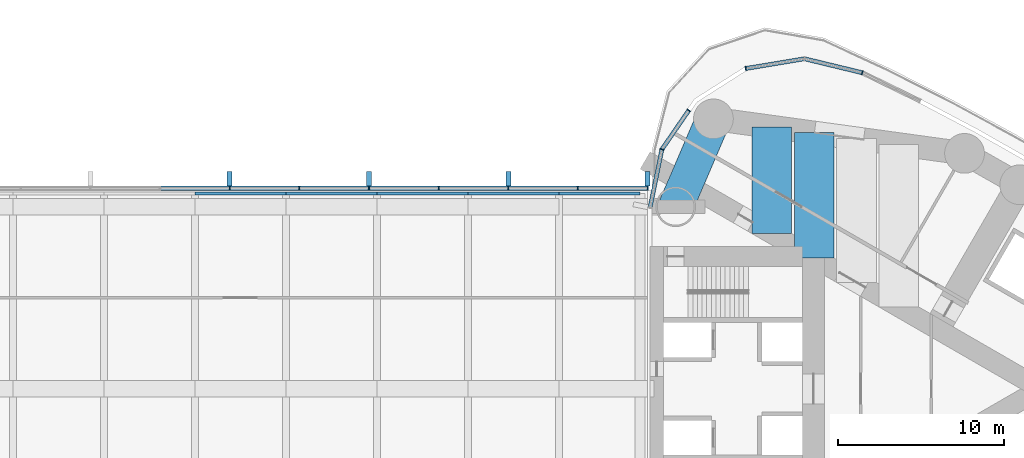
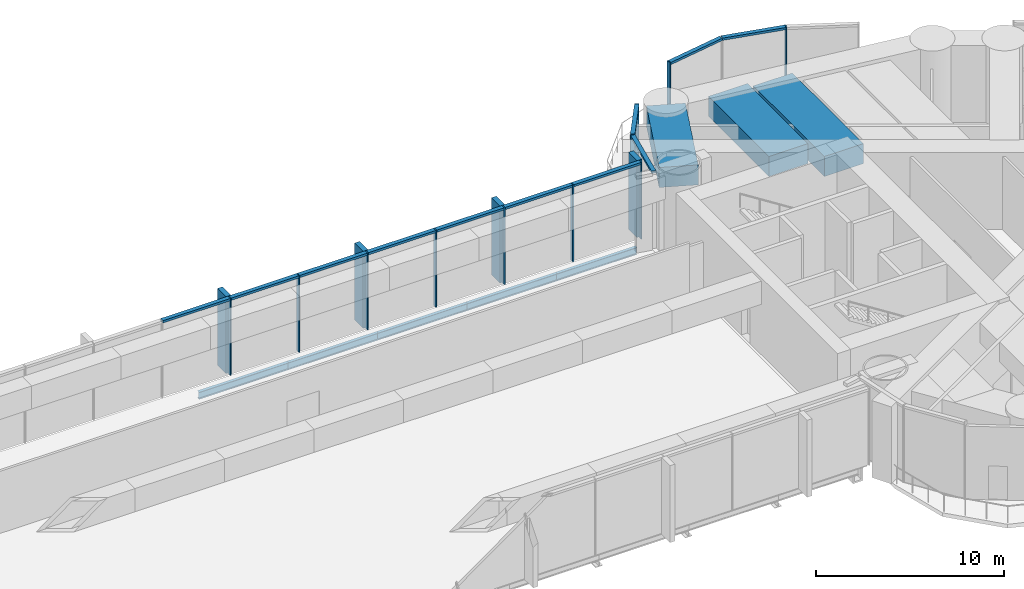
# One storey, part 11 of 22: 26 members, 8 beams, 3 elements without a shape of their own.
"""IFC4 building model written with IfcOpenShell, lengths in metres."""

from ifc_helpers import new_model, si_unit, direction, frame, origin, origin_2d, place, context, subcontext, project, spatial, rectangle, i_section, extrude, material, material_profile, profile_set, type_object, element, aggregate, save


model = new_model("IFC4")

# Units and contexts
model_context = context("Model", 3, precision=1e-05, world=origin(), true_north=direction((0.0, 1.0)))
body_context = subcontext(model_context, "Body", "Model", "MODEL_VIEW")
ifc_project = project(units=[si_unit("LENGTHUNIT", "METRE"), si_unit("AREAUNIT", "SQUARE_METRE"), si_unit("VOLUMEUNIT", "CUBIC_METRE"), si_unit("PLANEANGLEUNIT", "RADIAN"), si_unit("MASSUNIT", "GRAM", prefix="KILO")], contexts=[model_context])

# Site, building, storey
site_placement = place(None, origin())
site = spatial("IfcSite", under=ifc_project, at=site_placement, CompositionType="ELEMENT")
building_placement = place(site_placement, origin())
building = spatial("IfcBuilding", under=site, at=building_placement, Name="Lancet Gate Hotel", CompositionType="ELEMENT")
storey_placement = place(building_placement, frame((0.0, 0.0, 210.300048828125)))
storey = spatial("IfcBuildingStorey", under=building, at=storey_placement, Name="L56", CompositionType="ELEMENT", Elevation=210.300048828125)

# Curtain wall, members
ifc_material_1 = material(Name="Aluminium curtain wall", Category="aluminium")
curtain_wall_type = type_object("IfcCurtainWallType", Name="Refuge storey louvred curtain wall", PredefinedType="USERDEFINED", material=ifc_material_1)
curtain_wall_1_placement = place(storey_placement, origin())
curtain_wall_1 = element("IfcCurtainWall", 1, at=curtain_wall_1_placement, inside=storey, type_object=curtain_wall_type, Name="T2 L56 curtain wall 7", ObjectType="LANTERN GLAZING", PredefinedType="USERDEFINED")
ifc_material_2 = material(Name="Aluminium mullion", Category="aluminium")
ifc_material_profile_1 = material_profile(ifc_material_2, rectangle(XDim=0.06494140625, YDim=0.25, at=origin_2d()), Name="MULLION 65x250")
ifc_profile_set_1 = profile_set([ifc_material_profile_1], Name="Aluminium mullion")
member_type_1 = type_object("IfcMemberType", Name="Aluminium mullion 65x250", PredefinedType="MULLION", material=ifc_profile_set_1)
member_1_placement = place(storey_placement, frame((40.3173828125, 19.098388671875, 0.0), z_axis=(0.0, 0.0, 1.0), x_axis=(-0.939483740419, 0.342593493061, 0.0)))
member_1 = element("IfcMember", 2, at=member_1_placement, type_object=member_type_1, Name="T2 L56 curtain wall 7 mullion 2", PredefinedType="MULLION", context=body_context, shape_type="SweptSolid", body=[
    extrude(rectangle(XDim=0.06494140625, YDim=0.25, at=origin_2d()), origin(), (0.0, 0.0, 1.0), 5.0),
])
member_2_placement = place(storey_placement, frame((33.283203125, 19.353515625, 0.0), z_axis=(0.0, 0.0, 1.0), x_axis=(-0.986480101775, -0.163881081283, 0.0)))
member_2 = element("IfcMember", 3, at=member_2_placement, type_object=member_type_1, Name="T2 L56 curtain wall 7 mullion 4", PredefinedType="MULLION", context=body_context, shape_type="SweptSolid", body=[
    extrude(rectangle(XDim=0.06494140625, YDim=0.25, at=origin_2d()), origin(), (0.0, 0.0, 1.0), 5.0),
])

curtain_wall_2_placement = place(storey_placement, origin())
curtain_wall_2 = element("IfcCurtainWall", 4, at=curtain_wall_2_placement, inside=storey, type_object=curtain_wall_type, Name="T2 L56 curtain wall 8", ObjectType="LANTERN GLAZING", PredefinedType="USERDEFINED")
member_3_placement = place(storey_placement, frame((29.838134765625, 16.82421875, 0.0), z_axis=(0.0, 0.0, 1.0), x_axis=(-0.566823864908, -0.823839005007, 0.0)))
member_3 = element("IfcMember", 5, at=member_3_placement, type_object=member_type_1, Name="T2 L56 curtain wall 8 mullion 1", PredefinedType="MULLION", context=body_context, shape_type="SweptSolid", body=[
    extrude(rectangle(XDim=0.06494140625, YDim=0.25, at=origin_2d()), origin(), (0.0, 0.0, 1.0), 5.0),
])
member_4_placement = place(storey_placement, frame((28.216552734375, 14.467529296875, 0.0), z_axis=(0.0, 0.0, 1.0), x_axis=(-0.36971003295, -0.929147185077, 0.0)))
member_4 = element("IfcMember", 6, at=member_4_placement, type_object=member_type_1, Name="T2 L56 curtain wall 8 mullion 2", PredefinedType="MULLION", context=body_context, shape_type="SweptSolid", body=[
    extrude(rectangle(XDim=0.06494140625, YDim=0.25, at=origin_2d()), origin(), (0.0, 0.0, 1.0), 5.0),
])

curtain_wall_3_placement = place(storey_placement, origin())
curtain_wall_3 = element("IfcCurtainWall", 7, at=curtain_wall_3_placement, inside=storey, type_object=curtain_wall_type, Name="Bridge block L56 curtain wall N", ObjectType="LANTERN GLAZING", PredefinedType="USERDEFINED")
member_5_placement = place(storey_placement, frame((27.35009765625, 12.1201171875, 0.0), z_axis=(0.0, 0.0, 1.0), x_axis=(-1.0, 0.0, 0.0)))
member_5 = element("IfcMember", 8, at=member_5_placement, type_object=member_type_1, Name="Bridge block L56 curtain wall N mullion 1", PredefinedType="MULLION", context=body_context, shape_type="SweptSolid", body=[
    extrude(rectangle(XDim=0.06494140625, YDim=0.25, at=origin_2d()), origin(), (0.0, 0.0, 1.0), 5.0),
])
member_6_placement = place(storey_placement, frame((23.142333984375, 12.1201171875, 0.0), z_axis=(0.0, 0.0, 1.0), x_axis=(-1.0, 0.0, 0.0)))
member_6 = element("IfcMember", 9, at=member_6_placement, type_object=member_type_1, Name="Bridge block L56 curtain wall N mullion 2", PredefinedType="MULLION", context=body_context, shape_type="SweptSolid", body=[
    extrude(rectangle(XDim=0.06494140625, YDim=0.25, at=origin_2d()), origin(), (0.0, 0.0, 1.0), 5.0),
])
member_7_placement = place(storey_placement, frame((18.9345703125, 12.1201171875, 0.0), z_axis=(0.0, 0.0, 1.0), x_axis=(-1.0, 0.0, 0.0)))
member_7 = element("IfcMember", 10, at=member_7_placement, type_object=member_type_1, Name="Bridge block L56 curtain wall N mullion 3", PredefinedType="MULLION", context=body_context, shape_type="SweptSolid", body=[
    extrude(rectangle(XDim=0.06494140625, YDim=0.25, at=origin_2d()), origin(), (0.0, 0.0, 1.0), 5.0),
])
member_8_placement = place(storey_placement, frame((14.726806640625, 12.1201171875, 0.0), z_axis=(0.0, 0.0, 1.0), x_axis=(-1.0, 0.0, 0.0)))
member_8 = element("IfcMember", 11, at=member_8_placement, type_object=member_type_1, Name="Bridge block L56 curtain wall N mullion 4", PredefinedType="MULLION", context=body_context, shape_type="SweptSolid", body=[
    extrude(rectangle(XDim=0.06494140625, YDim=0.25, at=origin_2d()), origin(), (0.0, 0.0, 1.0), 5.0),
])
member_9_placement = place(storey_placement, frame((10.519287109375, 12.1201171875, 0.0), z_axis=(0.0, 0.0, 1.0), x_axis=(-1.0, 0.0, 0.0)))
member_9 = element("IfcMember", 12, at=member_9_placement, type_object=member_type_1, Name="Bridge block L56 curtain wall N mullion 5", PredefinedType="MULLION", context=body_context, shape_type="SweptSolid", body=[
    extrude(rectangle(XDim=0.06494140625, YDim=0.25, at=origin_2d()), origin(), (0.0, 0.0, 1.0), 5.0),
])
member_10_placement = place(storey_placement, frame((6.3115234375, 12.1201171875, 0.0), z_axis=(0.0, 0.0, 1.0), x_axis=(-1.0, 0.0, 0.0)))
member_10 = element("IfcMember", 13, at=member_10_placement, type_object=member_type_1, Name="Bridge block L56 curtain wall N mullion 6", PredefinedType="MULLION", context=body_context, shape_type="SweptSolid", body=[
    extrude(rectangle(XDim=0.06494140625, YDim=0.25, at=origin_2d()), origin(), (0.0, 0.0, 1.0), 5.0),
])
member_11_placement = place(storey_placement, frame((2.103759765625, 12.1201171875, 0.0), z_axis=(0.0, 0.0, 1.0), x_axis=(-1.0, 0.0, 0.0)))
member_11 = element("IfcMember", 14, at=member_11_placement, type_object=member_type_1, Name="Bridge block L56 curtain wall N mullion 7", PredefinedType="MULLION", context=body_context, shape_type="SweptSolid", body=[
    extrude(rectangle(XDim=0.06494140625, YDim=0.25, at=origin_2d()), origin(), (0.0, 0.0, 1.0), 5.0),
])

# Member
ifc_material_3 = material(Name="Aluminium transom", Category="aluminium")
ifc_material_profile_2 = material_profile(ifc_material_3, rectangle(XDim=0.25, YDim=0.14990234375, at=origin_2d()), Name="TRANSOM 250x150")
ifc_profile_set_2 = profile_set([ifc_material_profile_2], Name="Aluminium transom")
member_type_2 = type_object("IfcMemberType", Name="Aluminium transom 250x150", PredefinedType="USERDEFINED", material=ifc_profile_set_2)
member_12_placement = place(storey_placement, frame((40.28564453125, 19.10595703125, 4.925048828125), z_axis=(-0.972002653858, 0.234969872307, 0.0), x_axis=(-0.234969872307, -0.972002653858, 0.0)))
member_12 = element("IfcMember", 15, at=member_12_placement, type_object=member_type_2, Name="T2 L56 curtain wall 7 transom 2", ObjectType="TRANSOM", PredefinedType="USERDEFINED", context=body_context, shape_type="SweptSolid", body=[
    extrude(rectangle(XDim=0.25, YDim=0.14990234375, at=origin_2d()), origin(), (0.0, 0.0, 1.0), 3.5263671875),
])

member_13_placement = place(storey_placement, frame((36.794189453125, 19.936767578125, 4.925048828125), z_axis=(-0.986483584545, -0.163860115412, 0.0), x_axis=(0.163860115412, -0.986483584545, 0.0)))
member_13 = element("IfcMember", 16, at=member_13_placement, type_object=member_type_2, Name="T2 L56 curtain wall 7 transom 3", ObjectType="TRANSOM", PredefinedType="USERDEFINED", context=body_context, shape_type="SweptSolid", body=[
    extrude(rectangle(XDim=0.25, YDim=0.14990234375, at=origin_2d()), origin(), (0.0, 0.0, 1.0), 3.526611328125),
])

aggregate(curtain_wall_1, [member_1, member_2, member_12, member_13])

member_14_placement = place(storey_placement, frame((29.819580078125, 16.79736328125, 4.925048828125), z_axis=(-0.566773415324, -0.823873713431, 0.0), x_axis=(0.823873713431, -0.566773415324, 0.0)))
member_14 = element("IfcMember", 17, at=member_14_placement, type_object=member_type_2, Name="T2 L56 curtain wall 8 transom 1", ObjectType="TRANSOM", PredefinedType="USERDEFINED", context=body_context, shape_type="SweptSolid", body=[
    extrude(rectangle(XDim=0.25, YDim=0.14990234375, at=origin_2d()), origin(), (0.0, 0.0, 1.0), 2.795654296875),
])

member_15_placement = place(storey_placement, frame((28.210205078125, 14.435546875, 4.925048828125), z_axis=(-0.19952323725, -0.979893095086, 0.0), x_axis=(0.979893095086, -0.19952323725, 0.0)))
member_15 = element("IfcMember", 18, at=member_15_placement, type_object=member_type_2, Name="T2 L56 curtain wall 8 transom 2", ObjectType="TRANSOM", PredefinedType="USERDEFINED", context=body_context, shape_type="SweptSolid", body=[
    extrude(rectangle(XDim=0.25, YDim=0.14990234375, at=origin_2d()), origin(), (0.0, 0.0, 1.0), 3.5263671875),
])

aggregate(curtain_wall_2, [member_3, member_4, member_14, member_15])

member_16_placement = place(storey_placement, frame((27.3173828125, 12.1201171875, 4.925048828125), z_axis=(-1.0, 0.0, 0.0), x_axis=(0.0, -1.0, 0.0)))
member_16 = element("IfcMember", 19, at=member_16_placement, type_object=member_type_2, Name="Bridge block L56 curtain wall N transom 1", ObjectType="TRANSOM", PredefinedType="USERDEFINED", context=body_context, shape_type="SweptSolid", body=[
    extrude(rectangle(XDim=0.25, YDim=0.14990234375, at=origin_2d()), origin(), (0.0, 0.0, 1.0), 4.142578125),
])

member_17_placement = place(storey_placement, frame((23.10986328125, 12.1201171875, 4.925048828125), z_axis=(-1.0, 0.0, 0.0), x_axis=(0.0, -1.0, 0.0)))
member_17 = element("IfcMember", 20, at=member_17_placement, type_object=member_type_2, Name="Bridge block L56 curtain wall N transom 2", ObjectType="TRANSOM", PredefinedType="USERDEFINED", context=body_context, shape_type="SweptSolid", body=[
    extrude(rectangle(XDim=0.25, YDim=0.14990234375, at=origin_2d()), origin(), (0.0, 0.0, 1.0), 4.142822265625),
])

member_18_placement = place(storey_placement, frame((18.902099609375, 12.1201171875, 4.925048828125), z_axis=(-1.0, 0.0, 0.0), x_axis=(0.0, -1.0, 0.0)))
member_18 = element("IfcMember", 21, at=member_18_placement, type_object=member_type_2, Name="Bridge block L56 curtain wall N transom 3", ObjectType="TRANSOM", PredefinedType="USERDEFINED", context=body_context, shape_type="SweptSolid", body=[
    extrude(rectangle(XDim=0.25, YDim=0.14990234375, at=origin_2d()), origin(), (0.0, 0.0, 1.0), 4.142578125),
])

member_19_placement = place(storey_placement, frame((14.6943359375, 12.1201171875, 4.925048828125), z_axis=(-1.0, 0.0, 0.0), x_axis=(0.0, -1.0, 0.0)))
member_19 = element("IfcMember", 22, at=member_19_placement, type_object=member_type_2, Name="Bridge block L56 curtain wall N transom 4", ObjectType="TRANSOM", PredefinedType="USERDEFINED", context=body_context, shape_type="SweptSolid", body=[
    extrude(rectangle(XDim=0.25, YDim=0.14990234375, at=origin_2d()), origin(), (0.0, 0.0, 1.0), 4.142578125),
])

member_20_placement = place(storey_placement, frame((10.48681640625, 12.1201171875, 4.925048828125), z_axis=(-1.0, 0.0, 0.0), x_axis=(0.0, -1.0, 0.0)))
member_20 = element("IfcMember", 23, at=member_20_placement, type_object=member_type_2, Name="Bridge block L56 curtain wall N transom 5", ObjectType="TRANSOM", PredefinedType="USERDEFINED", context=body_context, shape_type="SweptSolid", body=[
    extrude(rectangle(XDim=0.25, YDim=0.14990234375, at=origin_2d()), origin(), (0.0, 0.0, 1.0), 4.142822265625),
])

member_21_placement = place(storey_placement, frame((6.279052734375, 12.1201171875, 4.925048828125), z_axis=(-1.0, 0.0, 0.0), x_axis=(0.0, -1.0, 0.0)))
member_21 = element("IfcMember", 24, at=member_21_placement, type_object=member_type_2, Name="Bridge block L56 curtain wall N transom 6", ObjectType="TRANSOM", PredefinedType="USERDEFINED", context=body_context, shape_type="SweptSolid", body=[
    extrude(rectangle(XDim=0.25, YDim=0.14990234375, at=origin_2d()), origin(), (0.0, 0.0, 1.0), 4.142822265625),
])

member_22_placement = place(storey_placement, frame((2.0712890625, 12.1201171875, 4.925048828125), z_axis=(-1.0, 0.0, 0.0), x_axis=(0.0, -1.0, 0.0)))
member_22 = element("IfcMember", 25, at=member_22_placement, type_object=member_type_2, Name="Bridge block L56 curtain wall N transom 7", ObjectType="TRANSOM", PredefinedType="USERDEFINED", context=body_context, shape_type="SweptSolid", body=[
    extrude(rectangle(XDim=0.25, YDim=0.14990234375, at=origin_2d()), origin(), (0.0, 0.0, 1.0), 4.142578125),
])

# Beams
ifc_material_4 = material(Name="Steel S355", Category="steel")
ifc_material_profile_3 = material_profile(ifc_material_4, i_section(OverallWidth=0.19140625, OverallDepth=0.4599609375, WebThickness=0.010009765625, FlangeThickness=0.01611328125, FilletRadius=0.01025390625, at=origin_2d()), Name="UKB 457x191x82")
ifc_profile_set_3 = profile_set([ifc_material_profile_3], Name="Steel S355")
beam_type_1 = type_object("IfcBeamType", Name="Block edge beam UKB 457x191x82", PredefinedType="SPANDREL", material=ifc_profile_set_3)
for number, where, z_axis, x_axis, name in (
    (26, (0.0, 11.800048828125, -0.429931640625), (1.0, 0.0, 0.0), (0.0, 1.0, 0.0), "Block edge beam N 5-6 L56"),
    (27, (5.5, 11.800048828125, -0.429931640625), (1.0, 0.0, 0.0), (0.0, 1.0, 0.0), "Block edge beam N 6-7 L56"),
    (28, (11.0, 11.800048828125, -0.429931640625), (1.0, 0.0, 0.0), (0.0, 1.0, 0.0), "Block edge beam N 7-8 L56"),
    (29, (16.5, 11.800048828125, -0.429931640625), (1.0, 0.0, 0.0), (0.0, 1.0, 0.0), "Block edge beam N 8-9 L56"),
):
    element("IfcBeam", number, at=place(storey_placement, frame(where, z_axis=z_axis, x_axis=x_axis)), inside=storey, type_object=beam_type_1, Name=name, PredefinedType="SPANDREL", context=body_context, shape_type="SweptSolid", body=[
        extrude(i_section(OverallWidth=0.19140625, OverallDepth=0.4599609375, WebThickness=0.010009765625, FlangeThickness=0.01611328125, FilletRadius=0.01025390625, at=origin_2d()), origin(), (0.0, 0.0, 1.0), 5.5),
    ])
beam_1_placement = place(storey_placement, frame((22.0, 11.800048828125, -0.429931640625), z_axis=(1.0, 0.0, 0.0), x_axis=(0.0, 1.0, 0.0)))
element("IfcBeam", 30, at=beam_1_placement, inside=storey, type_object=beam_type_1, Name="Block edge beam N 9-10 L56", PredefinedType="SPANDREL", context=body_context, shape_type="SweptSolid", body=[
    extrude(i_section(OverallWidth=0.19140625, OverallDepth=0.4599609375, WebThickness=0.010009765625, FlangeThickness=0.01611328125, FilletRadius=0.01025390625, at=origin_2d()), origin(), (0.0, 0.0, 1.0), 4.89990234375),
])
ifc_material_5 = material(Name="Concrete C50/60", Category="concrete")
ifc_material_profile_4 = material_profile(ifc_material_5, rectangle(XDim=2.10009765625, YDim=1.300048828125, at=origin_2d()), Name="RC 2100x1300")
ifc_profile_set_4 = profile_set([ifc_material_profile_4], Name="Concrete C50/60")
beam_type_2 = type_object("IfcBeamType", Name="Edge beam RC 2100x1300", PredefinedType="SPANDREL", material=ifc_profile_set_4)
beam_2_placement = place(storey_placement, frame((29.050048828125, 11.0, 4.099853515625), z_axis=(0.394250694824, 0.91900293233, 0.0), x_axis=(-0.91900293233, 0.394250694824, 0.0)))
element("IfcBeam", 31, at=beam_2_placement, inside=storey, type_object=beam_type_2, Name="T2 edge beam EB1 L56", PredefinedType="SPANDREL", context=body_context, shape_type="SweptSolid", body=[
    extrude(rectangle(XDim=2.10009765625, YDim=1.300048828125, at=origin_2d()), origin(), (0.0, 0.0, 1.0), 5.77880859375),
])

# Member
ifc_material_6 = material(Name="Precast concrete C50/60", Category="concrete")
ifc_material_profile_5 = material_profile(ifc_material_6, rectangle(XDim=0.300048828125, YDim=0.89990234375, at=origin_2d()), Name="FIN 300x900")
ifc_profile_set_5 = profile_set([ifc_material_profile_5], Name="Precast concrete C50/60")
member_type_3 = type_object("IfcMemberType", Name="Exposed concrete fin 300x900", PredefinedType="USERDEFINED", material=ifc_profile_set_5)
member_23_placement = place(storey_placement, frame((27.35009765625, 12.695068359375, 0.0), z_axis=(0.0, 0.0, 1.0), x_axis=(-1.0, 0.0, 0.0)))
member_23 = element("IfcMember", 32, at=member_23_placement, type_object=member_type_3, Name="Bridge block L56 curtain wall N fin 1", ObjectType="FIN", PredefinedType="USERDEFINED", context=body_context, shape_type="SweptSolid", body=[
    extrude(rectangle(XDim=0.300048828125, YDim=0.89990234375, at=origin_2d()), origin(), (0.0, 0.0, 1.0), 5.0),
])

member_24_placement = place(storey_placement, frame((18.9345703125, 12.695068359375, 0.0), z_axis=(0.0, 0.0, 1.0), x_axis=(-1.0, 0.0, 0.0)))
member_24 = element("IfcMember", 33, at=member_24_placement, type_object=member_type_3, Name="Bridge block L56 curtain wall N fin 3", ObjectType="FIN", PredefinedType="USERDEFINED", context=body_context, shape_type="SweptSolid", body=[
    extrude(rectangle(XDim=0.300048828125, YDim=0.89990234375, at=origin_2d()), origin(), (0.0, 0.0, 1.0), 5.0),
])

member_25_placement = place(storey_placement, frame((10.519287109375, 12.695068359375, 0.0), z_axis=(0.0, 0.0, 1.0), x_axis=(-1.0, 0.0, 0.0)))
member_25 = element("IfcMember", 34, at=member_25_placement, type_object=member_type_3, Name="Bridge block L56 curtain wall N fin 5", ObjectType="FIN", PredefinedType="USERDEFINED", context=body_context, shape_type="SweptSolid", body=[
    extrude(rectangle(XDim=0.300048828125, YDim=0.89990234375, at=origin_2d()), origin(), (0.0, 0.0, 1.0), 5.0),
])

member_26_placement = place(storey_placement, frame((2.103759765625, 12.695068359375, 0.0), z_axis=(0.0, 0.0, 1.0), x_axis=(-1.0, 0.0, 0.0)))
member_26 = element("IfcMember", 35, at=member_26_placement, type_object=member_type_3, Name="Bridge block L56 curtain wall N fin 7", ObjectType="FIN", PredefinedType="USERDEFINED", context=body_context, shape_type="SweptSolid", body=[
    extrude(rectangle(XDim=0.300048828125, YDim=0.89990234375, at=origin_2d()), origin(), (0.0, 0.0, 1.0), 5.0),
])

aggregate(curtain_wall_3, [member_5, member_23, member_6, member_7, member_24, member_8, member_9, member_25, member_10, member_11, member_26, member_16, member_17, member_18, member_19, member_20, member_21, member_22])

# Beams
ifc_material_7 = material(Name="Concrete C50/60", Category="concrete")
ifc_material_profile_6 = material_profile(ifc_material_7, rectangle(XDim=2.39990234375, YDim=1.300048828125, at=origin_2d()), Name="RC 2400x1300")
ifc_profile_set_6 = profile_set([ifc_material_profile_6], Name="Concrete C50/60")
beam_type_3 = type_object("IfcBeamType", Name="Floor beam RC 2400x1300", PredefinedType="BEAM", material=ifc_profile_set_6)
beam_3_placement = place(storey_placement, frame((34.859619140625, 9.377685546875, 4.099853515625), z_axis=(0.0, 1.0, 0.0), x_axis=(-1.0, 0.0, 0.0)))
element("IfcBeam", 36, at=beam_3_placement, inside=storey, type_object=beam_type_3, Name="T2 floor beam F02N L56", PredefinedType="BEAM", context=body_context, shape_type="SweptSolid", body=[
    extrude(rectangle(XDim=2.39990234375, YDim=1.300048828125, at=origin_2d()), origin(), (0.0, 0.0, 1.0), 6.44775390625),
])
beam_4_placement = place(storey_placement, frame((37.412841796875, 7.903564453125, 4.099853515625), z_axis=(0.0, 1.0, 0.0), x_axis=(-1.0, 0.0, 0.0)))
element("IfcBeam", 37, at=beam_4_placement, inside=storey, type_object=beam_type_3, Name="T2 floor beam F04N L56", PredefinedType="BEAM", context=body_context, shape_type="SweptSolid", body=[
    extrude(rectangle(XDim=2.39990234375, YDim=1.300048828125, at=origin_2d()), origin(), (0.0, 0.0, 1.0), 7.57080078125),
])

save(model, "model.ifc")
